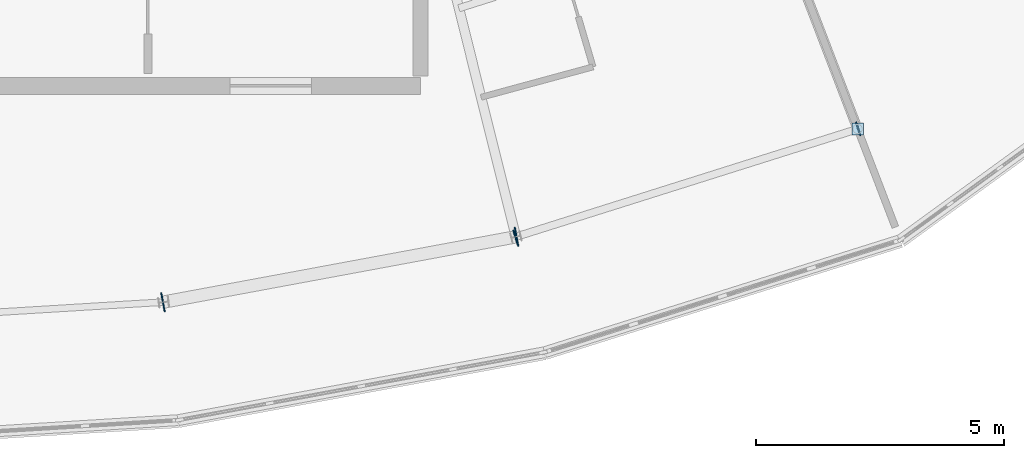
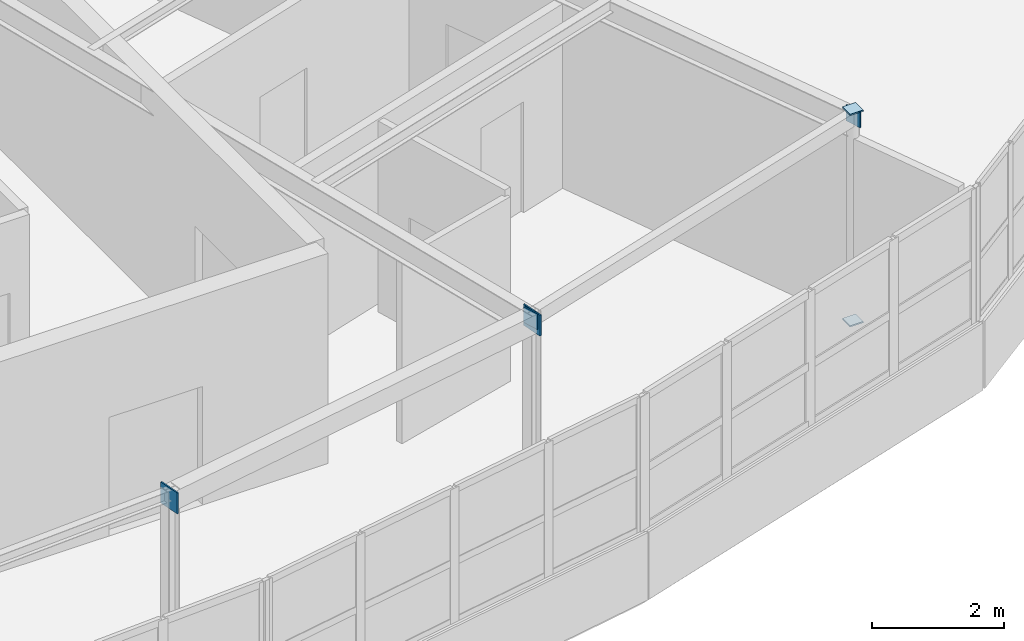
# One storey, part 47 of 60: 6 plates.
"""IFC4 building model written with IfcOpenShell, lengths in metres."""

from ifc_helpers import new_model, si_unit, direction, frame, origin, origin_2d, place, context, subcontext, project, spatial, rectangle, extrude, material, layer, layer_set, type_object, element, save


model = new_model("IFC4")

# Units and contexts
model_context = context("Model", 3, precision=1e-05, world=origin(), true_north=direction((0.0, 1.0)))
body_context = subcontext(model_context, "Body", "Model", "MODEL_VIEW")
ifc_project = project(units=[si_unit("LENGTHUNIT", "METRE"), si_unit("AREAUNIT", "SQUARE_METRE"), si_unit("VOLUMEUNIT", "CUBIC_METRE"), si_unit("PLANEANGLEUNIT", "RADIAN"), si_unit("MASSUNIT", "GRAM", prefix="KILO")], contexts=[model_context])

# Site, building, storey
site_placement = place(None, origin())
site = spatial("IfcSite", under=ifc_project, at=site_placement, CompositionType="ELEMENT")
building_placement = place(site_placement, origin())
building = spatial("IfcBuilding", under=site, at=building_placement, Name="Tarnwether General Hospital", CompositionType="ELEMENT")
storey_placement = place(building_placement, frame((0.0, 0.0, 26.10009765625)))
storey = spatial("IfcBuildingStorey", under=building, at=storey_placement, Name="L06", CompositionType="ELEMENT", Elevation=26.10009765625)

# Plates
ifc_material = material(Name="Steel Grade 350 (350 MPa)", Category="steel")
ifc_layer = layer(ifc_material, 0.02490234375)
ifc_layer_set = layer_set([ifc_layer], Name="Steel Grade 350 (350 MPa)")
plate_type = type_object("IfcPlateType", Name="PT-GUS2", PredefinedType="USERDEFINED", material=ifc_layer_set)
for number, where, z_axis, x_axis, name in (
    (1, (113.215087890625, 7.73193359375, -0.025146484375), (0.0, 0.0, 1.0), (1.0, 0.0, 0.0), "Hollow Section Welded End Cap Plate 0721"),
    (2, (113.215087890625, 7.73193359375, 3.89990234375), (0.0, 0.0, 1.0), (1.0, 0.0, 0.0), "Hollow Section Welded End Cap Plate 0722"),
):
    element("IfcPlate", number, at=place(storey_placement, frame(where, z_axis=z_axis, x_axis=x_axis)), inside=storey, type_object=plate_type, Name=name, ObjectType="GUSSET", PredefinedType="USERDEFINED", context=body_context, shape_type="SweptSolid", body=[
        extrude(rectangle(XDim=0.23388671875, YDim=0.23388671875, at=origin_2d()), origin(), (0.0, 0.0, 1.0), 0.02490234375),
    ])
for number, where, z_axis, x_axis, name in (
    (3, (99.20263671875, 4.23876953125, 3.52978515625), (0.0, 0.0, 1.0), (0.983261268185, 0.18220120331, 0.0), "Hollow Section Welded End Cap Plate 1169"),
    (4, (106.334228515625, 5.560302734375, 3.52978515625), (0.0, 0.0, 1.0), (0.983261268185, 0.18220120331, 0.0), "Hollow Section Welded End Cap Plate 1170"),
):
    element("IfcPlate", number, at=place(storey_placement, frame(where, z_axis=z_axis, x_axis=x_axis)), inside=storey, type_object=plate_type, Name=name, ObjectType="GUSSET", PredefinedType="USERDEFINED", context=body_context, shape_type="SweptSolid", body=[
        extrude(rectangle(XDim=0.02490234375, YDim=0.389892578125, at=origin_2d()), origin(), (0.0, 0.0, 1.0), 0.389892578125),
    ])
for number, where, z_axis, x_axis, name in (
    (5, (106.31005859375, 5.55419921875, 3.6298828125), (0.0, 0.0, 1.0), (0.953690705585, 0.300789025864, 0.0), "Hollow Section Welded End Cap Plate 1173"),
    (6, (113.226806640625, 7.73583984375, 3.6298828125), (0.0, 0.0, 1.0), (0.953690705585, 0.300789025864, 0.0), "Hollow Section Welded End Cap Plate 1174"),
):
    element("IfcPlate", number, at=place(storey_placement, frame(where, z_axis=z_axis, x_axis=x_axis)), inside=storey, type_object=plate_type, Name=name, ObjectType="GUSSET", PredefinedType="USERDEFINED", context=body_context, shape_type="SweptSolid", body=[
        extrude(rectangle(XDim=0.02490234375, YDim=0.2900390625, at=origin_2d()), origin(), (0.0, 0.0, 1.0), 0.2900390625),
    ])

save(model, "model.ifc")
